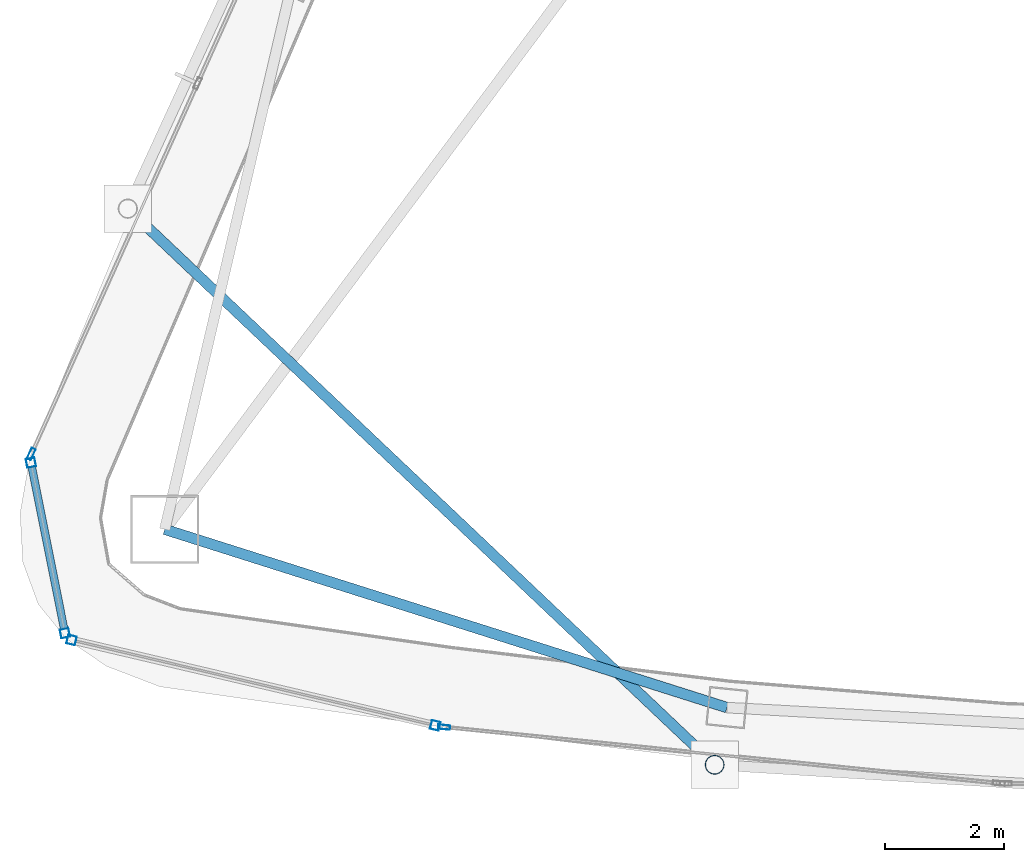
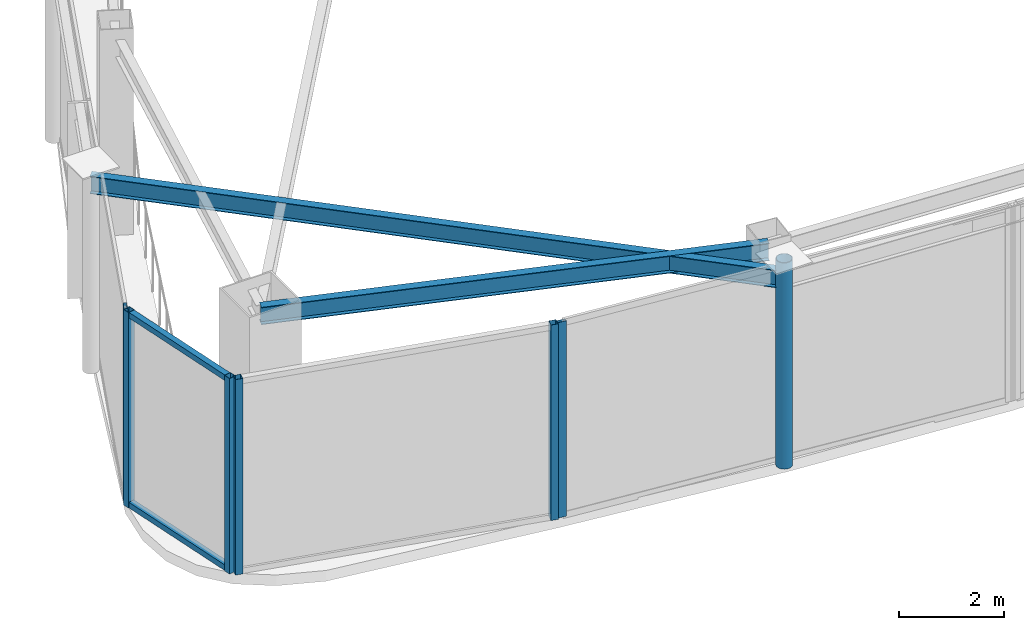
# One storey, part 2 of 19: 9 members, 2 beams, 4 elements without a shape of their own.
"""IFC4 building model written with IfcOpenShell, lengths in metres."""

from ifc_helpers import new_model, si_unit, direction, frame, origin, origin_2d, place, context, subcontext, project, spatial, hollow_rectangle, hollow_circle, i_section, extrude, material, layer, layer_set, material_profile, profile_set, type_object, element, aggregate, save


model = new_model("IFC4")

# Units and contexts
model_context = context("Model", 3, precision=1e-05, world=origin(), true_north=direction((0.0, 1.0)))
body_context = subcontext(model_context, "Body", "Model", "MODEL_VIEW")
ifc_project = project(units=[si_unit("LENGTHUNIT", "METRE"), si_unit("AREAUNIT", "SQUARE_METRE"), si_unit("VOLUMEUNIT", "CUBIC_METRE"), si_unit("PLANEANGLEUNIT", "RADIAN"), si_unit("MASSUNIT", "GRAM", prefix="KILO")], contexts=[model_context])

# Site, building, storey
site_placement = place(None, origin())
site = spatial("IfcSite", under=ifc_project, at=site_placement, CompositionType="ELEMENT")
building_placement = place(site_placement, origin())
building = spatial("IfcBuilding", under=site, at=building_placement, Name="Orvanel Arch Residences", CompositionType="ELEMENT")
storey_placement = place(building_placement, frame((0.0, 0.0, 290.89990234375)))
storey = spatial("IfcBuildingStorey", under=building, at=storey_placement, Name="L82", CompositionType="ELEMENT", Elevation=290.89990234375)

# Curtain wall, members
ifc_material_1 = material(Name="Bronze-anodised aluminium AA6063-T6", Category="aluminium")
ifc_layer = layer(ifc_material_1, 0.2099609375)
ifc_layer_set = layer_set([ifc_layer], Name="Bronze-anodised aluminium AA6063-T6")
curtain_wall_type = type_object("IfcCurtainWallType", Name="CW7-TOP-SYS", PredefinedType="NOTDEFINED", material=ifc_layer_set)
curtain_wall_1_placement = place(storey_placement, origin())
curtain_wall_1 = element("IfcCurtainWall", 1, at=curtain_wall_1_placement, inside=storey, type_object=curtain_wall_type, Name="L82 CW7-TOP-SYS Unitised Curtain Wall", PredefinedType="NOTDEFINED")
ifc_material_profile_1 = material_profile(ifc_material_1, hollow_rectangle(XDim=0.14990234375, YDim=0.14990234375, WallThickness=0.0048828125, at=origin_2d()), Name="ALU150x150x5")
ifc_profile_set_1 = profile_set([ifc_material_profile_1], Name="Bronze-anodised aluminium AA6063-T6")
member_type_1 = type_object("IfcMemberType", Name="MUL-150x150", PredefinedType="MULLION", material=ifc_profile_set_1)
member_1_placement = place(storey_placement, frame((11.95068359375, 11.471435546875, 0.0), z_axis=(0.0, 0.0, 1.0), x_axis=(0.980680696495, 0.195615366274, 0.0)))
member_1 = element("IfcMember", 2, at=member_1_placement, type_object=member_type_1, Name="CW-S7 mullion 1", PredefinedType="MULLION", context=body_context, shape_type="SweptSolid", body=[
    extrude(hollow_rectangle(XDim=0.14990234375, YDim=0.14990234375, WallThickness=0.0048828125, at=origin_2d()), origin(), (0.0, 0.0, 1.0), 4.550048828125),
])
member_2_placement = place(storey_placement, frame((12.522216796875, 8.60546875, 0.0), z_axis=(0.0, 0.0, 1.0), x_axis=(0.980680696495, 0.195615366274, 0.0)))
member_2 = element("IfcMember", 3, at=member_2_placement, type_object=member_type_1, Name="CW-S7 mullion 2", PredefinedType="MULLION", context=body_context, shape_type="SweptSolid", body=[
    extrude(hollow_rectangle(XDim=0.14990234375, YDim=0.14990234375, WallThickness=0.0048828125, at=origin_2d()), origin(), (0.0, 0.0, 1.0), 4.550048828125),
])

curtain_wall_2_placement = place(storey_placement, origin())
curtain_wall_2 = element("IfcCurtainWall", 4, at=curtain_wall_2_placement, inside=storey, type_object=curtain_wall_type, Name="L82 CW7-TOP-SYS Unitised Curtain Wall", PredefinedType="NOTDEFINED")
member_3_placement = place(storey_placement, frame((12.633056640625, 8.48974609375, 0.0), z_axis=(0.0, 0.0, 1.0), x_axis=(0.22864052585, 0.973510919271, 0.0)))
member_3 = element("IfcMember", 5, at=member_3_placement, type_object=member_type_1, Name="CW-S7 mullion 1", PredefinedType="MULLION", context=body_context, shape_type="SweptSolid", body=[
    extrude(hollow_rectangle(XDim=0.14990234375, YDim=0.14990234375, WallThickness=0.0048828125, at=origin_2d()), origin(), (0.0, 0.0, 1.0), 4.550048828125),
])
member_4_placement = place(storey_placement, frame((18.74609375, 7.05419921875, 0.0), z_axis=(0.0, 0.0, 1.0), x_axis=(0.22864052585, 0.973510919271, 0.0)))
member_4 = element("IfcMember", 6, at=member_4_placement, type_object=member_type_1, Name="CW-S7 mullion 2", PredefinedType="MULLION", context=body_context, shape_type="SweptSolid", body=[
    extrude(hollow_rectangle(XDim=0.14990234375, YDim=0.14990234375, WallThickness=0.0048828125, at=origin_2d()), origin(), (0.0, 0.0, 1.0), 4.550048828125),
])
aggregate(curtain_wall_2, [member_3, member_4])

# Curtain wall, member
curtain_wall_3_placement = place(storey_placement, origin())
curtain_wall_3 = element("IfcCurtainWall", 7, at=curtain_wall_3_placement, inside=storey, type_object=curtain_wall_type, Name="L82 CW7-TOP-SYS Unitised Curtain Wall", PredefinedType="NOTDEFINED")
ifc_material_profile_2 = material_profile(ifc_material_1, hollow_rectangle(XDim=0.074951171875, YDim=0.199951171875, WallThickness=0.0048828125, at=origin_2d()), Name="ALU200x75x5")
ifc_profile_set_2 = profile_set([ifc_material_profile_2], Name="Bronze-anodised aluminium AA6063-T6")
member_type_2 = type_object("IfcMemberType", Name="MUL-200x75", PredefinedType="MULLION", material=ifc_profile_set_2)
member_5_placement = place(storey_placement, frame((11.955322265625, 11.6171875, 0.0), z_axis=(0.0, 0.0, 1.0), x_axis=(0.912376147447, -0.40935286193, 0.0)))
member_5 = element("IfcMember", 8, at=member_5_placement, type_object=member_type_2, Name="CW-S7 mullion 3", PredefinedType="MULLION", context=body_context, shape_type="SweptSolid", body=[
    extrude(hollow_rectangle(XDim=0.074951171875, YDim=0.199951171875, WallThickness=0.0048828125, at=origin_2d()), origin(), (0.0, 0.0, 1.0), 4.550048828125),
])
aggregate(curtain_wall_3, [member_5])

curtain_wall_4_placement = place(storey_placement, origin())
curtain_wall_4 = element("IfcCurtainWall", 9, at=curtain_wall_4_placement, inside=storey, type_object=curtain_wall_type, Name="L82 CW7-TOP-SYS Unitised Curtain Wall", PredefinedType="NOTDEFINED")
member_6_placement = place(storey_placement, frame((18.895263671875, 7.026123046875, 0.0), z_axis=(0.0, 0.0, 1.0), x_axis=(0.10054103466, 0.994932912487, 0.0)))
member_6 = element("IfcMember", 10, at=member_6_placement, type_object=member_type_2, Name="CW-S7 mullion 1", PredefinedType="MULLION", context=body_context, shape_type="SweptSolid", body=[
    extrude(hollow_rectangle(XDim=0.074951171875, YDim=0.199951171875, WallThickness=0.0048828125, at=origin_2d()), origin(), (0.0, 0.0, 1.0), 4.550048828125),
])
aggregate(curtain_wall_4, [member_6])

# Beams
ifc_material_2 = material(Name="Structural steel AS/NZS 3679.1 Grade 300 (300 MPa)", Category="steel")
ifc_material_profile_3 = material_profile(ifc_material_2, i_section(OverallWidth=0.177978515625, OverallDepth=0.406005859375, WebThickness=0.0078125, FlangeThickness=0.0126953125, at=origin_2d()), Name="410UB59.7")
ifc_profile_set_3 = profile_set([ifc_material_profile_3], Name="Structural steel AS/NZS 3679.1 Grade 300 (300 MPa)")
beam_type_1 = type_object("IfcBeamType", Name="OB-410UB", PredefinedType="SPANDREL", material=ifc_profile_set_3)
beam_1_placement = place(storey_placement, frame((14.198974609375, 10.35107421875, 4.34716796875), z_axis=(0.953237386592, -0.302222574941, 0.0), x_axis=(0.302222574941, 0.953237386592, 0.0)))
element("IfcBeam", 11, at=beam_1_placement, inside=storey, type_object=beam_type_1, Name="L82 Perimeter Spandrel Beam 02", PredefinedType="SPANDREL", context=body_context, shape_type="SweptSolid", body=[
    extrude(i_section(OverallWidth=0.177978515625, OverallDepth=0.406005859375, WebThickness=0.0078125, FlangeThickness=0.0126953125, at=origin_2d()), origin(), (0.0, 0.0, 1.0), 9.91357421875),
])
ifc_material_profile_4 = material_profile(ifc_material_2, i_section(OverallWidth=0.177978515625, OverallDepth=0.406005859375, WebThickness=0.0078125, FlangeThickness=0.0126953125, at=origin_2d()), Name="410UB59.7")
ifc_profile_set_4 = profile_set([ifc_material_profile_4], Name="Structural steel AS/NZS 3679.1 Grade 300 (300 MPa)")
beam_type_2 = type_object("IfcBeamType", Name="OB-410UB-EXT", PredefinedType="SPANDREL", material=ifc_profile_set_4)
beam_2_placement = place(storey_placement, frame((13.577880859375, 15.740966796875, 4.34716796875), z_axis=(0.72587667187, -0.687824873958, 0.0), x_axis=(0.687824873958, 0.72587667187, 0.0)))
element("IfcBeam", 12, at=beam_2_placement, inside=storey, type_object=beam_type_2, Name="L82 Outer Perimeter Floor Ring Beam 04", PredefinedType="SPANDREL", context=body_context, shape_type="SweptSolid", body=[
    extrude(i_section(OverallWidth=0.177978515625, OverallDepth=0.406005859375, WebThickness=0.0078125, FlangeThickness=0.0126953125, at=origin_2d()), origin(), (0.0, 0.0, 1.0), 13.589111328125),
])

# Member
ifc_material_3 = material(Name="Structural steel AS/NZS 1163 C350L0 (Grade 350)", Category="steel")
ifc_material_profile_5 = material_profile(ifc_material_3, hollow_circle(Radius=0.162109375, WallThickness=0.0126953125, at=origin_2d()), Name="CHS324x12.7")
ifc_profile_set_5 = profile_set([ifc_material_profile_5], Name="Structural steel AS/NZS 1163 C350L0 (Grade 350)")
member_type_3 = type_object("IfcMemberType", Name="ST-324CHS-EXT", PredefinedType="STRUT", material=ifc_profile_set_5)
member_7_placement = place(storey_placement, frame((23.44189453125, 6.39404296875, 0.0), z_axis=(0.0, 0.0, 1.0), x_axis=(1.0, 0.0, 0.0)))
element("IfcMember", 13, at=member_7_placement, inside=storey, type_object=member_type_3, Name="L82 Outer Perimeter Frame Post 05", PredefinedType="STRUT", context=body_context, shape_type="SweptSolid", body=[
    extrude(hollow_circle(Radius=0.162109375, WallThickness=0.0126953125, at=origin_2d()), origin(), (0.0, 0.0, 1.0), 4.800048828125),
])

ifc_material_profile_6 = material_profile(ifc_material_1, hollow_rectangle(XDim=0.1298828125, YDim=0.1298828125, WallThickness=0.00439453125, at=origin_2d()), Name="ALU130x130x4.5")
ifc_profile_set_6 = profile_set([ifc_material_profile_6], Name="Bronze-anodised aluminium AA6063-T6")
member_type_4 = type_object("IfcMemberType", Name="TRN-130x130", PredefinedType="USERDEFINED", material=ifc_profile_set_6)
member_8_placement = place(storey_placement, frame((11.96533203125, 11.39794921875, 0.065185546875), z_axis=(0.195591107521, -0.980685535051, 0.0), x_axis=(0.980685535051, 0.195591107521, 0.0)))
member_8 = element("IfcMember", 14, at=member_8_placement, type_object=member_type_4, Name="CW-S7 transom 1.1", ObjectType="TRANSOM", PredefinedType="USERDEFINED", context=body_context, shape_type="SweptSolid", body=[
    extrude(hollow_rectangle(XDim=0.1298828125, YDim=0.1298828125, WallThickness=0.00439453125, at=origin_2d()), origin(), (0.0, 0.0, 1.0), 2.772216796875),
])

member_9_placement = place(storey_placement, frame((11.96533203125, 11.39794921875, 4.485107421875), z_axis=(0.195591107521, -0.980685535051, 0.0), x_axis=(0.980685535051, 0.195591107521, 0.0)))
member_9 = element("IfcMember", 15, at=member_9_placement, type_object=member_type_4, Name="CW-S7 transom 1.2", ObjectType="TRANSOM", PredefinedType="USERDEFINED", context=body_context, shape_type="SweptSolid", body=[
    extrude(hollow_rectangle(XDim=0.1298828125, YDim=0.1298828125, WallThickness=0.00439453125, at=origin_2d()), origin(), (0.0, 0.0, 1.0), 2.772216796875),
])

aggregate(curtain_wall_1, [member_1, member_2, member_8, member_9])

save(model, "model.ifc")
